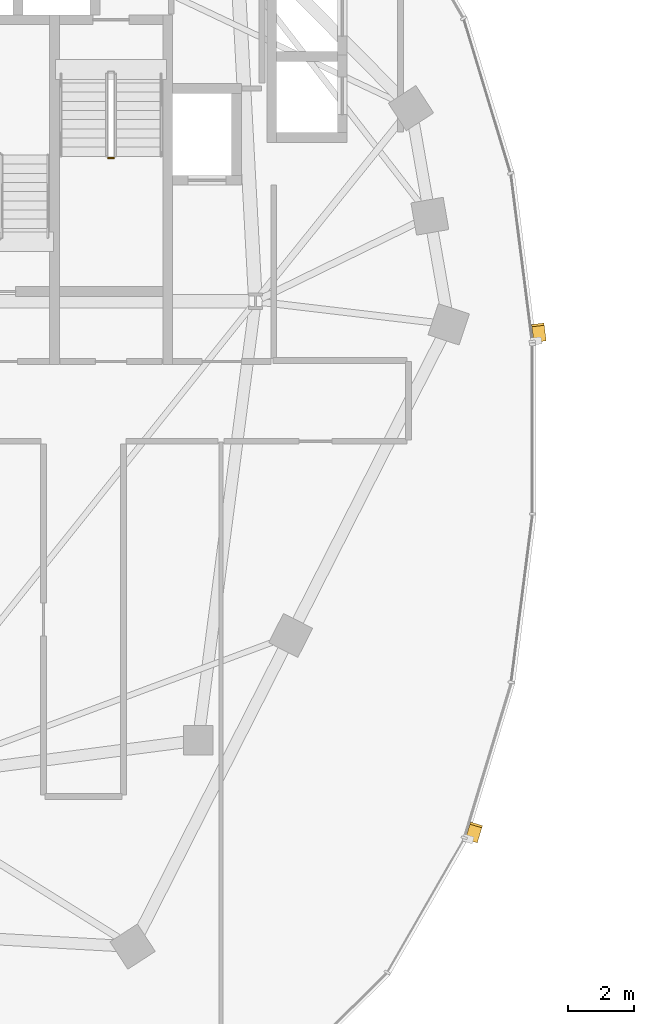
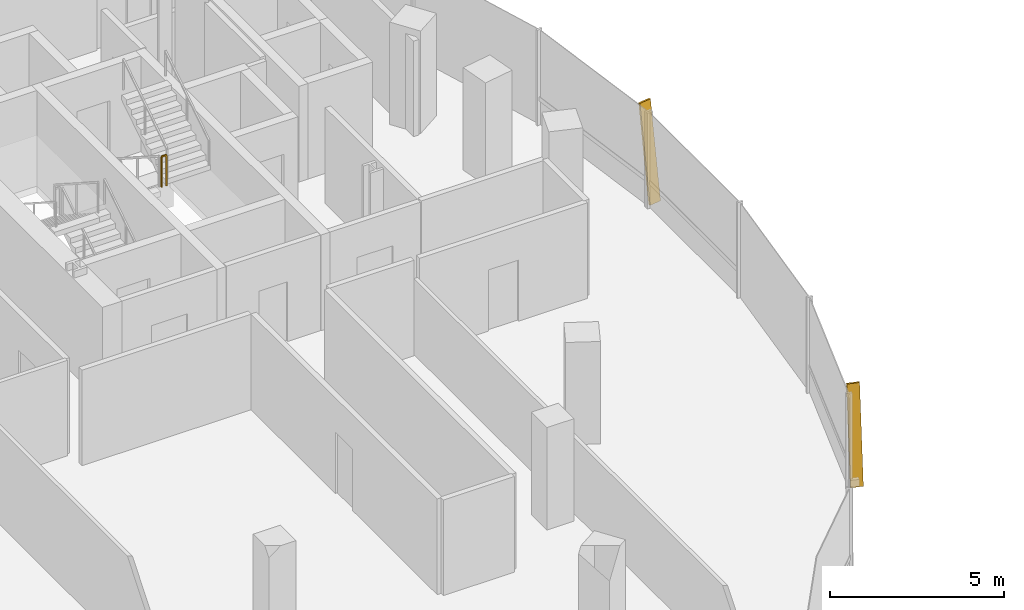
# One storey, part 19 of 22: 2 shading devices, 1 railing.
"""IFC4 building model written with IfcOpenShell, lengths in metres."""

from ifc_helpers import new_model, si_unit, direction, frame, origin, origin_2d, place, context, subcontext, project, spatial, rectangle, extrude, material, material_profile, profile_set, type_object, element, save


model = new_model("IFC4")

# Units and contexts
model_context = context("Model", 3, precision=1e-05, world=origin(), true_north=direction((0.0, 1.0)))
body_context = subcontext(model_context, "Body", "Model", "MODEL_VIEW")
ifc_project = project(units=[si_unit("LENGTHUNIT", "METRE"), si_unit("AREAUNIT", "SQUARE_METRE"), si_unit("VOLUMEUNIT", "CUBIC_METRE"), si_unit("PLANEANGLEUNIT", "RADIAN"), si_unit("MASSUNIT", "GRAM", prefix="KILO"), si_unit("THERMODYNAMICTEMPERATUREUNIT", "KELVIN"), si_unit("POWERUNIT", "WATT")], contexts=[model_context])

# Site, building, storey
site_placement = place(None, origin())
site = spatial("IfcSite", under=ifc_project, at=site_placement, CompositionType="ELEMENT")
building_placement = place(site_placement, origin())
building = spatial("IfcBuilding", under=site, at=building_placement, Name="Cundina Bronze Exchange", CompositionType="ELEMENT")
storey_placement = place(building_placement, frame((0.0, 0.0, 144.0)))
storey = spatial("IfcBuildingStorey", under=building, at=storey_placement, Name="L37", CompositionType="ELEMENT", Elevation=144.0)

# Railing
ifc_material_1 = material(Name="Steel ASTM A36 Painted", Category="steel")
railing_type = type_object("IfcRailingType", Name="RLG-STG-1100", PredefinedType="GUARDRAIL", material=ifc_material_1)
railing_placement = place(storey_placement, frame((-25.93994140625, 8.280029296875, 1.800048828125)))
element("IfcRailing", 1, at=railing_placement, inside=storey, type_object=railing_type, Name="L37 ST-W2 stair guard 2", PredefinedType="GUARDRAIL", context=body_context, shape_type="SweptSolid", body=[
    extrude(rectangle(XDim=0.048095703125, YDim=0.048095703125, at=origin_2d()), frame((0.0, 0.0, 1.076171875), z_axis=(1.0, 0.0, 0.0), x_axis=(0.0, 1.0, 0.0)), (0.0, 0.0, 1.0), 0.159912109375),
    extrude(rectangle(XDim=0.0419921875, YDim=0.0419921875, at=origin_2d()), origin(), (0.0, 0.0, 1.0), 1.052001953125),
    extrude(rectangle(XDim=0.0419921875, YDim=0.0419921875, at=origin_2d()), frame((0.159912109375, 0.0, 0.0)), (0.0, 0.0, 1.0), 1.052001953125),
])

# Shading devices
ifc_material_2 = material(Name="Anodised Bronze Aluminium 6063-T6", Category="aluminium")
ifc_material_profile = material_profile(ifc_material_2, rectangle(XDim=0.070068359375, YDim=0.3798828125, at=origin_2d()), Name="FIN70X380", Category="aluminium")
ifc_profile_set = profile_set([ifc_material_profile], Name="Anodised Bronze Aluminium 6063-T6")
shading_device_type = type_object("IfcShadingDeviceType", Name="SHD-FIN-BRZ380", PredefinedType="USERDEFINED", material=ifc_profile_set)
for number, where, z_axis, x_axis, name in (
    (2, (-12.76513671875, 2.705810546875, 0.02001953125), (-0.018121805099, 0.141917750773, 0.989712560391), (0.125360789044, -0.981741119016, 0.143070080046), "L37 Diagonal Bronze Solar Fin 1"),
    (3, (-14.848876953125, -12.5439453125, 0.02001953125), (0.041483395017, 0.136967981441, 0.989706471636), (-0.286882504107, -0.947215566191, 0.143112193758), "L37 Diagonal Bronze Solar Fin 5"),
):
    element("IfcShadingDevice", number, at=place(storey_placement, frame(where, z_axis=z_axis, x_axis=x_axis)), inside=storey, type_object=shading_device_type, Name=name, ObjectType="FIN", PredefinedType="USERDEFINED", context=body_context, shape_type="SweptSolid", body=[
        extrude(rectangle(XDim=0.070068359375, YDim=0.3798828125, at=origin_2d()), origin(), (0.0, 0.0, 1.0), 3.3544921875),
    ])

save(model, "model.ifc")
